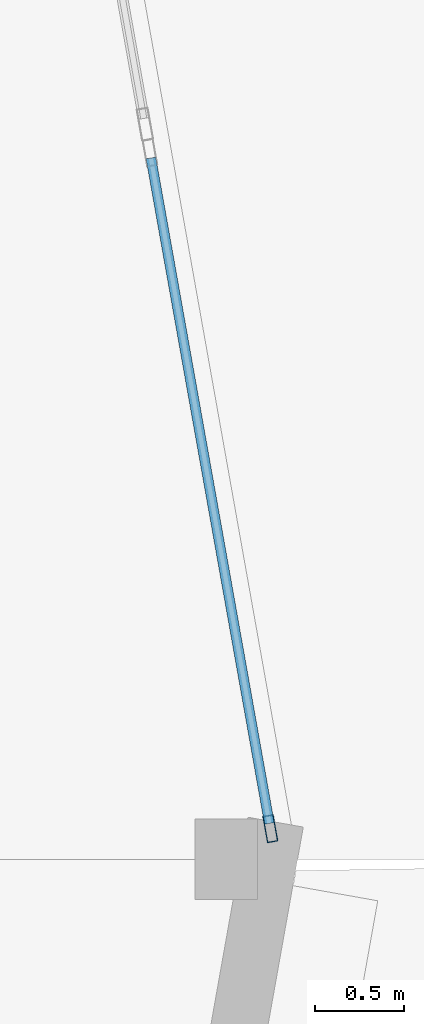
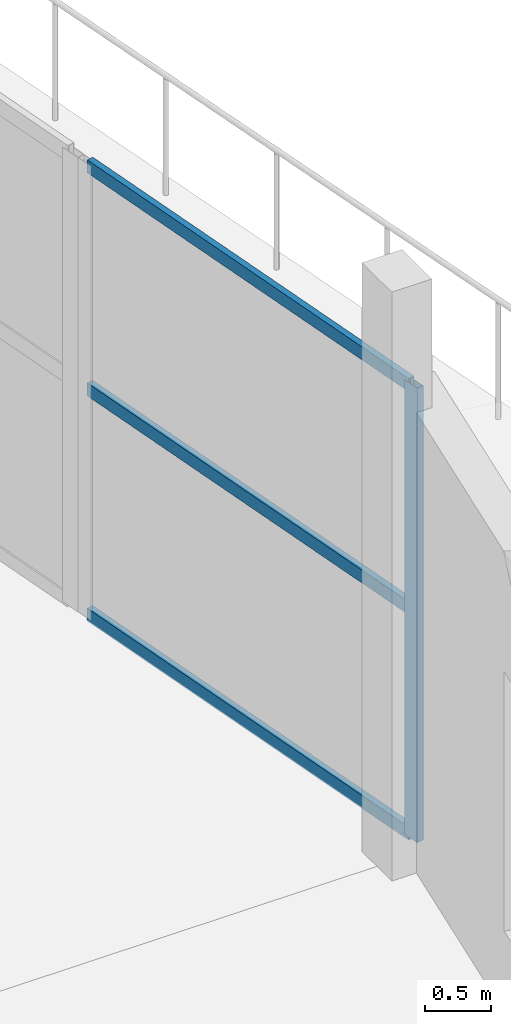
# One storey, part 64 of 123: 4 members, 1 element without a shape of its own.
"""IFC4 building model written with IfcOpenShell, lengths in metres."""

from ifc_helpers import new_model, si_unit, direction, frame, origin, origin_2d, place, context, subcontext, project, spatial, hollow_rectangle, extrude, material, layer, layer_set, material_profile, profile_set, type_object, element, aggregate, save


model = new_model("IFC4")

# Units and contexts
model_context = context("Model", 3, precision=1e-05, world=origin(), true_north=direction((0.0, 1.0)))
body_context = subcontext(model_context, "Body", "Model", "MODEL_VIEW")
ifc_project = project(units=[si_unit("LENGTHUNIT", "METRE"), si_unit("AREAUNIT", "SQUARE_METRE"), si_unit("VOLUMEUNIT", "CUBIC_METRE"), si_unit("PLANEANGLEUNIT", "RADIAN"), si_unit("MASSUNIT", "GRAM", prefix="KILO")], contexts=[model_context])

# Site, building, storey
site_placement = place(None, origin())
site = spatial("IfcSite", under=ifc_project, at=site_placement, CompositionType="ELEMENT")
building_placement = place(site_placement, origin())
building = spatial("IfcBuilding", under=site, at=building_placement, Name="Kalgoora Escarpment Arena", CompositionType="ELEMENT")
storey_placement = place(building_placement, frame((0.0, 0.0, 9.89990234375)))
storey = spatial("IfcBuildingStorey", under=building, at=storey_placement, Name="L02", CompositionType="ELEMENT", Elevation=9.89990234375)

# Curtain wall, members
ifc_material_1 = material(Name=" Champagne anodised aluminium & double-glazed low-E", Category="aluminium")
ifc_layer = layer(ifc_material_1, 0.154052734375)
ifc_layer_set = layer_set([ifc_layer], Name="CW-UNIT-11")
curtain_wall_type = type_object("IfcCurtainWallType", Name="CW-UNIT-11", PredefinedType="NOTDEFINED", material=ifc_layer_set)
curtain_wall_placement = place(storey_placement, origin())
curtain_wall = element("IfcCurtainWall", 1, at=curtain_wall_placement, inside=storey, type_object=curtain_wall_type, Name="L02 unitised facade curtain wall 090", PredefinedType="NOTDEFINED")
ifc_material_2 = material(Name="Anodised aluminium 6063-T6", Category="aluminium")
ifc_material_profile_1 = material_profile(ifc_material_2, hollow_rectangle(XDim=0.06005859375, YDim=0.14990234375, WallThickness=0.00341796875, at=origin_2d()))
ifc_profile_set_1 = profile_set([ifc_material_profile_1], Name="Anodised aluminium 6063-T6")
member_type_1 = type_object("IfcMemberType", Name="MEM-CW-MULL-150", PredefinedType="MULLION", material=ifc_profile_set_1)
member_1_placement = place(storey_placement, frame((175.047607421875, 64.1708984375, 0.02001953125), z_axis=(0.0, 0.0, 1.0), x_axis=(0.984507606176, 0.175341875723, 0.0)))
member_1 = element("IfcMember", 2, at=member_1_placement, type_object=member_type_1, Name="CW-11 mullion 2", PredefinedType="MULLION", context=body_context, shape_type="SweptSolid", body=[
    extrude(hollow_rectangle(XDim=0.06005859375, YDim=0.14990234375, WallThickness=0.00341796875, at=origin_2d()), origin(), (0.0, 0.0, 1.0), 4.205078125),
])
ifc_material_3 = material(Name="Anodised aluminium 6063-T6", Category="aluminium")
ifc_material_profile_2 = material_profile(ifc_material_3, hollow_rectangle(XDim=0.054931640625, YDim=0.1201171875, WallThickness=0.003173828125, at=origin_2d()))
ifc_profile_set_2 = profile_set([ifc_material_profile_2], Name="Anodised aluminium 6063-T6")
member_type_2 = type_object("IfcMemberType", Name="MEM-CW-TRAN-120", PredefinedType="USERDEFINED", material=ifc_profile_set_2)
member_2_placement = place(storey_placement, frame((174.379150390625, 67.924560546875, 0.047607421875), z_axis=(0.175357264902, -0.984504865222, 0.0), x_axis=(0.984504865222, 0.175357264902, 0.0)))
member_2 = element("IfcMember", 3, at=member_2_placement, type_object=member_type_2, Name="CW-11 transom 1.1", ObjectType="TRANSOM", PredefinedType="USERDEFINED", context=body_context, shape_type="SweptSolid", body=[
    extrude(hollow_rectangle(XDim=0.054931640625, YDim=0.1201171875, WallThickness=0.003173828125, at=origin_2d()), origin(), (0.0, 0.0, 1.0), 3.78271484375),
])
member_3_placement = place(storey_placement, frame((174.379150390625, 67.924560546875, 2.132568359375), z_axis=(0.175357264902, -0.984504865222, 0.0), x_axis=(0.984504865222, 0.175357264902, 0.0)))
member_3 = element("IfcMember", 4, at=member_3_placement, type_object=member_type_2, Name="CW-11 transom 1.2", ObjectType="TRANSOM", PredefinedType="USERDEFINED", context=body_context, shape_type="SweptSolid", body=[
    extrude(hollow_rectangle(XDim=0.054931640625, YDim=0.1201171875, WallThickness=0.003173828125, at=origin_2d()), origin(), (0.0, 0.0, 1.0), 3.78271484375),
])
member_4_placement = place(storey_placement, frame((174.379150390625, 67.924560546875, 4.197509765625), z_axis=(0.175357264902, -0.984504865222, 0.0), x_axis=(0.984504865222, 0.175357264902, 0.0)))
member_4 = element("IfcMember", 5, at=member_4_placement, type_object=member_type_2, Name="CW-11 transom 1.3", ObjectType="TRANSOM", PredefinedType="USERDEFINED", context=body_context, shape_type="SweptSolid", body=[
    extrude(hollow_rectangle(XDim=0.054931640625, YDim=0.1201171875, WallThickness=0.003173828125, at=origin_2d()), origin(), (0.0, 0.0, 1.0), 3.78271484375),
])
aggregate(curtain_wall, [member_1, member_2, member_3, member_4])

save(model, "model.ifc")
